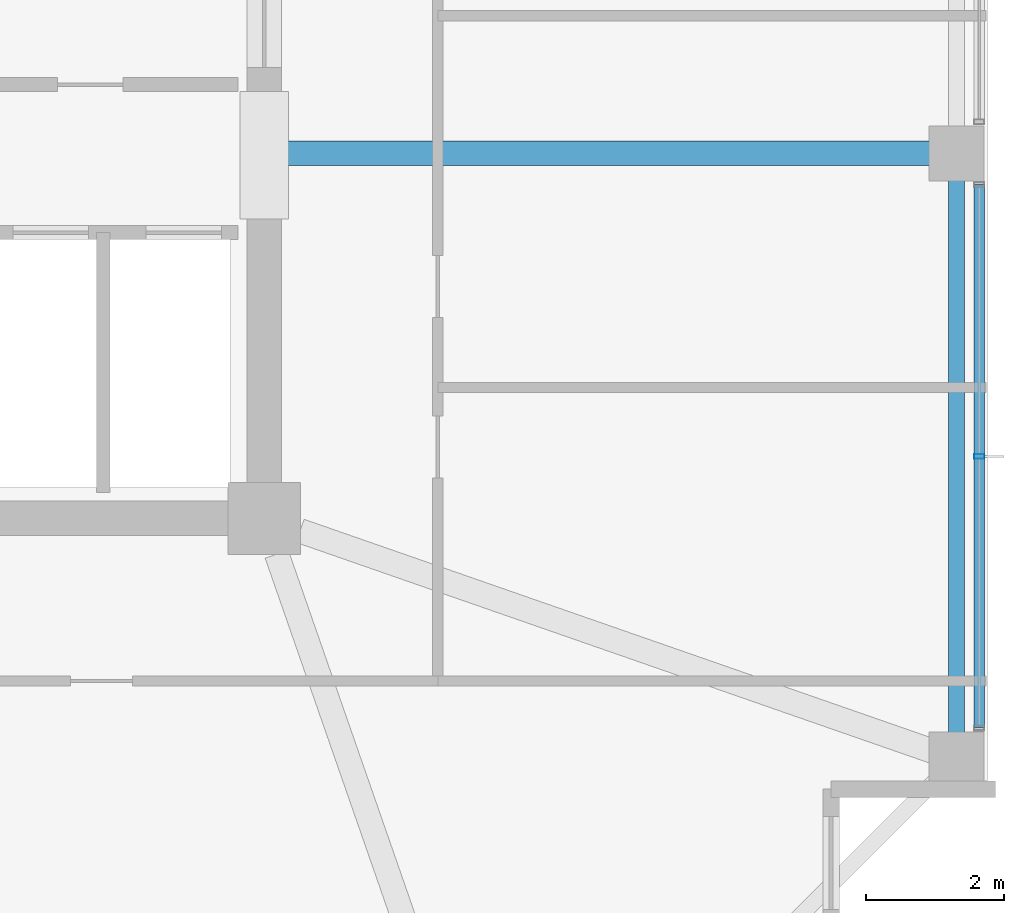
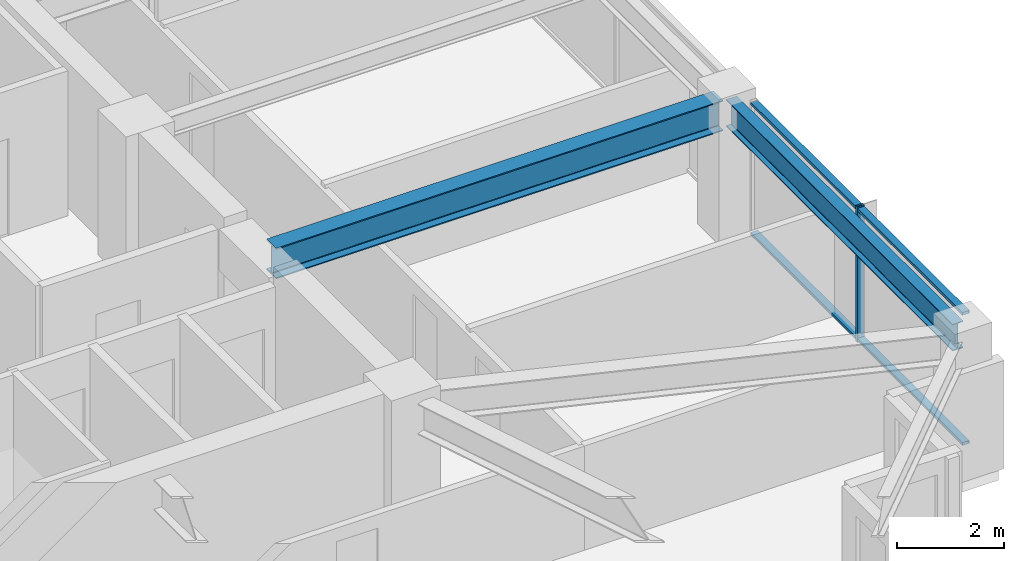
# One storey, part 12 of 36: 3 members, 2 beams, 1 element without a shape of its own.
"""IFC4 building model written with IfcOpenShell, lengths in metres."""

from ifc_helpers import new_model, si_unit, direction, frame, origin, origin_2d, place, context, subcontext, project, spatial, hollow_rectangle, i_section, extrude, material, material_profile, profile_set, type_object, element, aggregate, save


model = new_model("IFC4")

# Units and contexts
model_context = context("Model", 3, precision=1e-05, world=origin(), true_north=direction((0.0, 1.0)))
body_context = subcontext(model_context, "Body", "Model", "MODEL_VIEW")
ifc_project = project(units=[si_unit("LENGTHUNIT", "METRE"), si_unit("AREAUNIT", "SQUARE_METRE"), si_unit("VOLUMEUNIT", "CUBIC_METRE"), si_unit("PLANEANGLEUNIT", "RADIAN"), si_unit("MASSUNIT", "GRAM", prefix="KILO")], contexts=[model_context])

# Site, building, storey
site_placement = place(None, origin())
site = spatial("IfcSite", under=ifc_project, at=site_placement, CompositionType="ELEMENT")
building_placement = place(site_placement, origin())
building = spatial("IfcBuilding", under=site, at=building_placement, Name="Kolvaren Belvedere", CompositionType="ELEMENT")
storey_placement = place(building_placement, frame((0.0, 0.0, 193.199951171875)))
storey = spatial("IfcBuildingStorey", under=building, at=storey_placement, Name="L56", CompositionType="ELEMENT", Elevation=193.199951171875)

# Beams
ifc_material_1 = material(Name="Structural steel ASTM A992 Grade 50", Category="steel")
ifc_material_profile_1 = material_profile(ifc_material_1, i_section(OverallWidth=0.35498046875, OverallDepth=0.696044921875, WebThickness=0.015380859375, FlangeThickness=0.02490234375, FilletRadius=0.02197265625, at=origin_2d()), Name="W27X146")
ifc_profile_set_1 = profile_set([ifc_material_profile_1], Name="Structural steel ASTM A992 Grade 50")
beam_type_1 = type_object("IfcBeamType", Name="BM-GIRD-W27X146", PredefinedType="BEAM", material=ifc_profile_set_1)
beam_1_placement = place(storey_placement, frame((10.14990234375, -4.60009765625, 2.73193359375), z_axis=(1.0, 0.0, 0.0), x_axis=(0.0, 1.0, 0.0)))
element("IfcBeam", 1, at=beam_1_placement, inside=storey, type_object=beam_type_1, Name="L56 East Radial Girder M", PredefinedType="BEAM", context=body_context, shape_type="SweptSolid", body=[
    extrude(i_section(OverallWidth=0.35498046875, OverallDepth=0.696044921875, WebThickness=0.015380859375, FlangeThickness=0.02490234375, FilletRadius=0.02197265625, at=origin_2d()), origin(), (0.0, 0.0, 1.0), 9.6201171875),
])
ifc_material_2 = material(Name="Structural steel ASTM A992 Grade 50", Category="steel")
ifc_material_profile_2 = material_profile(ifc_material_2, i_section(OverallWidth=0.22900390625, OverallDepth=0.612060546875, WebThickness=0.011962890625, FlangeThickness=0.01953125, FilletRadius=0.01806640625, at=origin_2d()), Name="W24X84")
ifc_profile_set_2 = profile_set([ifc_material_profile_2], Name="Structural steel ASTM A992 Grade 50")
beam_type_2 = type_object("IfcBeamType", Name="BM-SPAN-W24X84", PredefinedType="SPANDREL", material=ifc_profile_set_2)
beam_2_placement = place(storey_placement, frame((19.949951171875, -13.219970703125, 2.774169921875), z_axis=(0.0, 1.0, 0.0), x_axis=(-1.0, 0.0, 0.0)))
element("IfcBeam", 2, at=beam_2_placement, inside=storey, type_object=beam_type_2, Name="L56 Perimeter Spandrel E1-E2", PredefinedType="SPANDREL", context=body_context, shape_type="SweptSolid", body=[
    extrude(i_section(OverallWidth=0.22900390625, OverallDepth=0.612060546875, WebThickness=0.011962890625, FlangeThickness=0.01953125, FilletRadius=0.01806640625, at=origin_2d()), origin(), (0.0, 0.0, 1.0), 8.43994140625),
])

# Curtain wall, members
ifc_material_3 = material(Name="Anodised pale-metal aluminium AA 6063-T6", Category="aluminium")
curtain_wall_type = type_object("IfcCurtainWallType", Name="CW-Z5-HIGH", PredefinedType="NOTDEFINED", material=ifc_material_3)
curtain_wall_placement = place(storey_placement, origin())
curtain_wall = element("IfcCurtainWall", 3, at=curtain_wall_placement, inside=storey, type_object=curtain_wall_type, Name="L56 Unitised Curtain Wall FCW-L56-E-B3", PredefinedType="NOTDEFINED")
ifc_material_4 = material(Name="Anodised pale-metal aluminium AA 6063-T6", Category="aluminium")
ifc_material_profile_3 = material_profile(ifc_material_4, hollow_rectangle(XDim=0.070068359375, YDim=0.14990234375, WallThickness=0.004150390625, at=origin_2d()), Name="ALU-MUL-150X70")
ifc_profile_set_3 = profile_set([ifc_material_profile_3], Name="Anodised pale-metal aluminium AA 6063-T6")
member_type_1 = type_object("IfcMemberType", Name="CW-MUL-150", PredefinedType="MULLION", material=ifc_profile_set_3)
member_1_placement = place(storey_placement, frame((20.280029296875, -9.0, 0.0), z_axis=(0.0, 0.0, 1.0), x_axis=(0.0, 1.0, 0.0)))
member_1 = element("IfcMember", 4, at=member_1_placement, type_object=member_type_1, Name="FCW-L56-E-B3 Unitised Mullion 2", PredefinedType="MULLION", context=body_context, shape_type="SweptSolid", body=[
    extrude(hollow_rectangle(XDim=0.070068359375, YDim=0.14990234375, WallThickness=0.004150390625, at=origin_2d()), origin(), (0.0, 0.0, 1.0), 3.080078125),
])
ifc_material_5 = material(Name="Anodised pale-metal aluminium AA 6063-T6", Category="aluminium")
ifc_material_profile_4 = material_profile(ifc_material_5, hollow_rectangle(XDim=0.06494140625, YDim=0.14990234375, WallThickness=0.00390625, at=origin_2d()), Name="ALU-TRN-150X65")
ifc_profile_set_4 = profile_set([ifc_material_profile_4], Name="Anodised pale-metal aluminium AA 6063-T6")
member_type_2 = type_object("IfcMemberType", Name="CW-TRN-150", PredefinedType="USERDEFINED", material=ifc_profile_set_4)
member_2_placement = place(storey_placement, frame((20.280029296875, -5.054931640625, 0.06005859375), z_axis=(0.0, -1.0, 0.0), x_axis=(0.0, 0.0, 1.0)))
member_2 = element("IfcMember", 5, at=member_2_placement, type_object=member_type_2, Name="FCW-L56-E-B3 Sill Transom", ObjectType="TRANSOM", PredefinedType="USERDEFINED", context=body_context, shape_type="SweptSolid", body=[
    extrude(hollow_rectangle(XDim=0.06494140625, YDim=0.14990234375, WallThickness=0.00390625, at=origin_2d()), origin(), (0.0, 0.0, 1.0), 7.89013671875),
])
member_3_placement = place(storey_placement, frame((20.280029296875, -5.054931640625, 3.02001953125), z_axis=(0.0, -1.0, 0.0), x_axis=(0.0, 0.0, 1.0)))
member_3 = element("IfcMember", 6, at=member_3_placement, type_object=member_type_2, Name="FCW-L56-E-B3 Head Transom", ObjectType="TRANSOM", PredefinedType="USERDEFINED", context=body_context, shape_type="SweptSolid", body=[
    extrude(hollow_rectangle(XDim=0.06494140625, YDim=0.14990234375, WallThickness=0.00390625, at=origin_2d()), origin(), (0.0, 0.0, 1.0), 7.89013671875),
])
aggregate(curtain_wall, [member_1, member_2, member_3])

save(model, "model.ifc")
